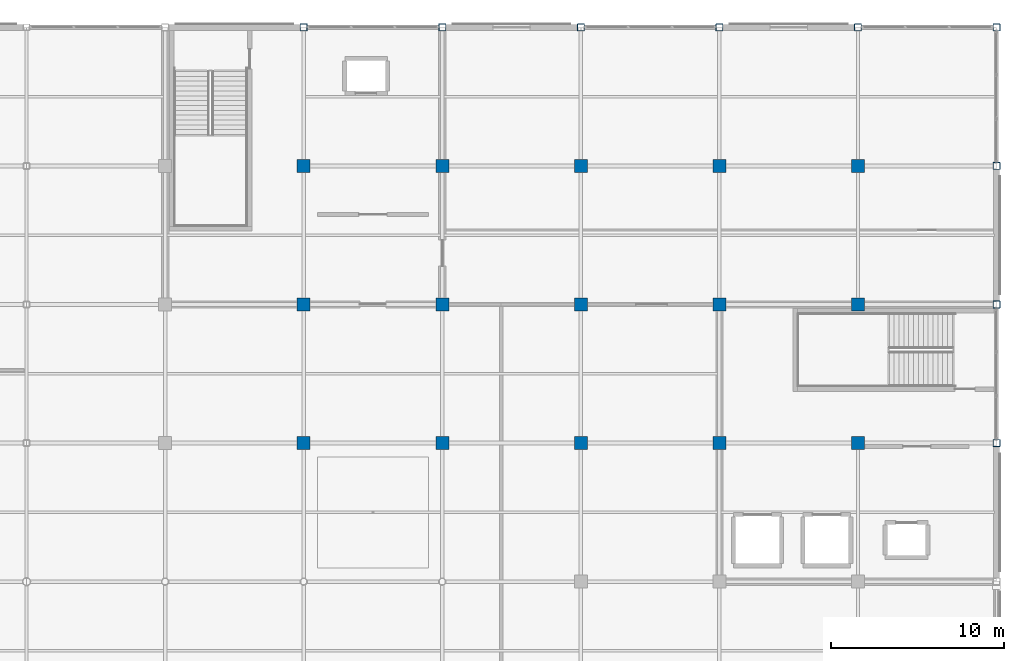
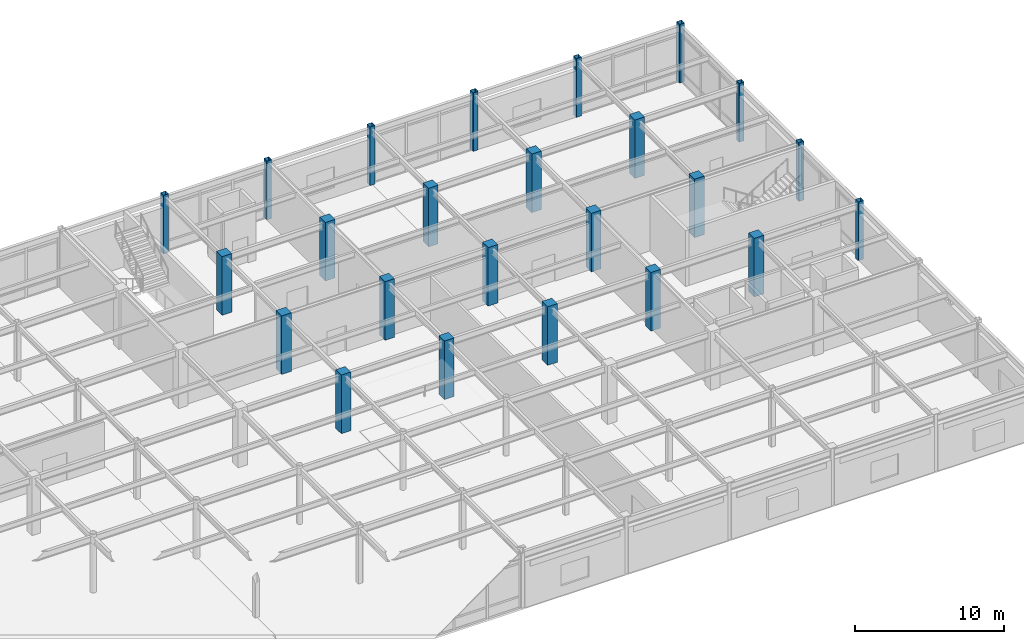
# One storey, part 22 of 117: 24 columns.
"""IFC4 building model written with IfcOpenShell, lengths in metres."""

from ifc_helpers import new_model, si_unit, direction, frame, origin, origin_2d, place, context, subcontext, project, spatial, rectangle, hollow_rectangle, extrude, material, material_profile, profile_set, type_object, element, save


model = new_model("IFC4")

# Units and contexts
model_context = context("Model", 3, precision=1e-05, world=origin(), true_north=direction((0.0, 1.0)))
body_context = subcontext(model_context, "Body", "Model", "MODEL_VIEW")
ifc_project = project(units=[si_unit("LENGTHUNIT", "METRE"), si_unit("AREAUNIT", "SQUARE_METRE"), si_unit("VOLUMEUNIT", "CUBIC_METRE"), si_unit("PLANEANGLEUNIT", "RADIAN"), si_unit("MASSUNIT", "GRAM", prefix="KILO")], contexts=[model_context])

# Site, building, storey
site_placement = place(None, origin())
site = spatial("IfcSite", under=ifc_project, at=site_placement, CompositionType="ELEMENT")
building_placement = place(site_placement, origin())
building = spatial("IfcBuilding", under=site, at=building_placement, Name="Solmirada Galleria", CompositionType="ELEMENT")
storey_placement = place(building_placement, frame((0.0, 0.0, 5.60009765625)))
storey = spatial("IfcBuildingStorey", under=building, at=storey_placement, Name="L01", CompositionType="ELEMENT", Elevation=5.60009765625)

# Columns
ifc_material_1 = material(Name="Steel S355 / ASTM A500 Grade C", Category="steel")
ifc_material_profile_1 = material_profile(ifc_material_1, hollow_rectangle(XDim=0.406005859375, YDim=0.406005859375, WallThickness=0.0146484375, InnerFilletRadius=0.0146484375, OuterFilletRadius=0.029296875, at=origin_2d()), Name="HSS16X16X5/8")
ifc_profile_set_1 = profile_set([ifc_material_profile_1], Name="Steel S355 / ASTM A500 Grade C")
column_type_1 = type_object("IfcColumnType", Name="COL-HSS16", PredefinedType="COLUMN", material=ifc_profile_set_1)
for number, where, z_axis, x_axis, name in (
    (1, (136.0, 120.0, 0.0), (0.0, 0.0, 1.0), (1.0, 0.0, 0.0), "Structural column L01-1198"),
    (2, (144.0, 120.0, 0.0), (0.0, 0.0, 1.0), (1.0, 0.0, 0.0), "Structural column L01-1284"),
    (3, (152.0, 120.0, 0.0), (0.0, 0.0, 1.0), (1.0, 0.0, 0.0), "Structural column L01-1357"),
    (4, (160.0, 120.0, 0.0), (0.0, 0.0, 1.0), (1.0, 0.0, 0.0), "Structural column L01-1430"),
    (5, (168.0, 120.0, 0.0), (0.0, 0.0, 1.0), (1.0, 0.0, 0.0), "Structural column L01-1503"),
    (6, (176.0, 96.0, 0.0), (0.0, 0.0, 1.0), (1.0, 0.0, 0.0), "Structural column L01-1549"),
    (7, (176.0, 104.0, 0.0), (0.0, 0.0, 1.0), (1.0, 0.0, 0.0), "Structural column L01-1558"),
    (8, (176.0, 112.0, 0.0), (0.0, 0.0, 1.0), (1.0, 0.0, 0.0), "Structural column L01-1567"),
    (9, (176.0, 120.0, 0.0), (0.0, 0.0, 1.0), (1.0, 0.0, 0.0), "Structural column L01-1576"),
):
    element("IfcColumn", number, at=place(storey_placement, frame(where, z_axis=z_axis, x_axis=x_axis)), inside=storey, type_object=column_type_1, Name=name, PredefinedType="COLUMN", context=body_context, shape_type="SweptSolid", body=[
        extrude(hollow_rectangle(XDim=0.406005859375, YDim=0.406005859375, WallThickness=0.0146484375, InnerFilletRadius=0.0146484375, OuterFilletRadius=0.029296875, at=origin_2d()), origin(), (0.0, 0.0, 1.0), 4.7998046875),
    ])
ifc_material_2 = material(Name="Concrete C40/50", Category="concrete")
ifc_material_profile_2 = material_profile(ifc_material_2, rectangle(XDim=0.75, YDim=0.75, at=origin_2d()), Name="RC750X750")
ifc_profile_set_2 = profile_set([ifc_material_profile_2], Name="Concrete C40/50")
column_type_2 = type_object("IfcColumnType", Name="COL-RC750", PredefinedType="COLUMN", material=ifc_profile_set_2)
for number, where, z_axis, x_axis, name in (
    (10, (136.0, 96.0, 0.0), (0.0, 0.0, 1.0), (1.0, 0.0, 0.0), "Structural column L01-1171"),
    (11, (136.0, 104.0, 0.0), (0.0, 0.0, 1.0), (1.0, 0.0, 0.0), "Structural column L01-1180"),
    (12, (136.0, 112.0, 0.0), (0.0, 0.0, 1.0), (1.0, 0.0, 0.0), "Structural column L01-1189"),
    (13, (144.0, 96.0, 0.0), (0.0, 0.0, 1.0), (1.0, 0.0, 0.0), "Structural column L01-1257"),
    (14, (144.0, 104.0, 0.0), (0.0, 0.0, 1.0), (1.0, 0.0, 0.0), "Structural column L01-1266"),
    (15, (144.0, 112.0, 0.0), (0.0, 0.0, 1.0), (1.0, 0.0, 0.0), "Structural column L01-1275"),
    (16, (152.0, 96.0, 0.0), (0.0, 0.0, 1.0), (1.0, 0.0, 0.0), "Structural column L01-1330"),
    (17, (152.0, 104.0, 0.0), (0.0, 0.0, 1.0), (1.0, 0.0, 0.0), "Structural column L01-1339"),
    (18, (152.0, 112.0, 0.0), (0.0, 0.0, 1.0), (1.0, 0.0, 0.0), "Structural column L01-1348"),
    (19, (160.0, 96.0, 0.0), (0.0, 0.0, 1.0), (1.0, 0.0, 0.0), "Structural column L01-1403"),
    (20, (160.0, 104.0, 0.0), (0.0, 0.0, 1.0), (1.0, 0.0, 0.0), "Structural column L01-1412"),
    (21, (160.0, 112.0, 0.0), (0.0, 0.0, 1.0), (1.0, 0.0, 0.0), "Structural column L01-1421"),
    (22, (168.0, 96.0, 0.0), (0.0, 0.0, 1.0), (1.0, 0.0, 0.0), "Structural column L01-1476"),
    (23, (168.0, 104.0, 0.0), (0.0, 0.0, 1.0), (1.0, 0.0, 0.0), "Structural column L01-1485"),
    (24, (168.0, 112.0, 0.0), (0.0, 0.0, 1.0), (1.0, 0.0, 0.0), "Structural column L01-1494"),
):
    element("IfcColumn", number, at=place(storey_placement, frame(where, z_axis=z_axis, x_axis=x_axis)), inside=storey, type_object=column_type_2, Name=name, PredefinedType="COLUMN", context=body_context, shape_type="SweptSolid", body=[
        extrude(rectangle(XDim=0.75, YDim=0.75, at=origin_2d()), origin(), (0.0, 0.0, 1.0), 4.7998046875),
    ])

save(model, "model.ifc")
